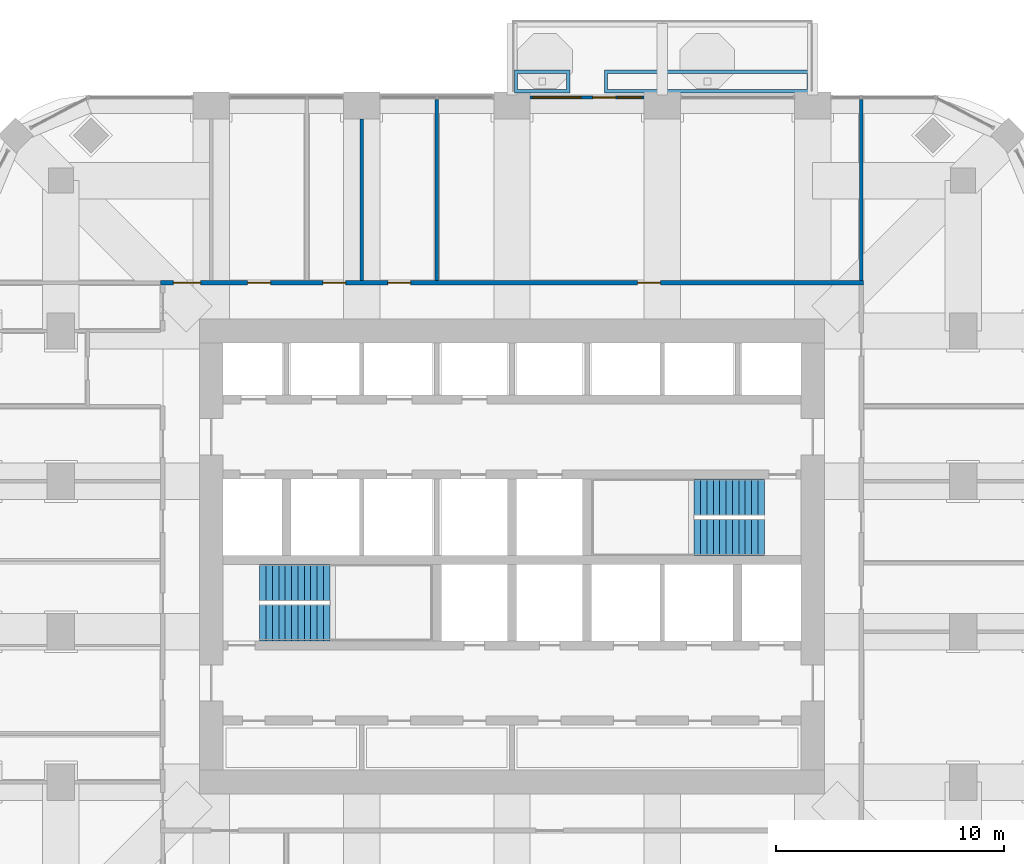
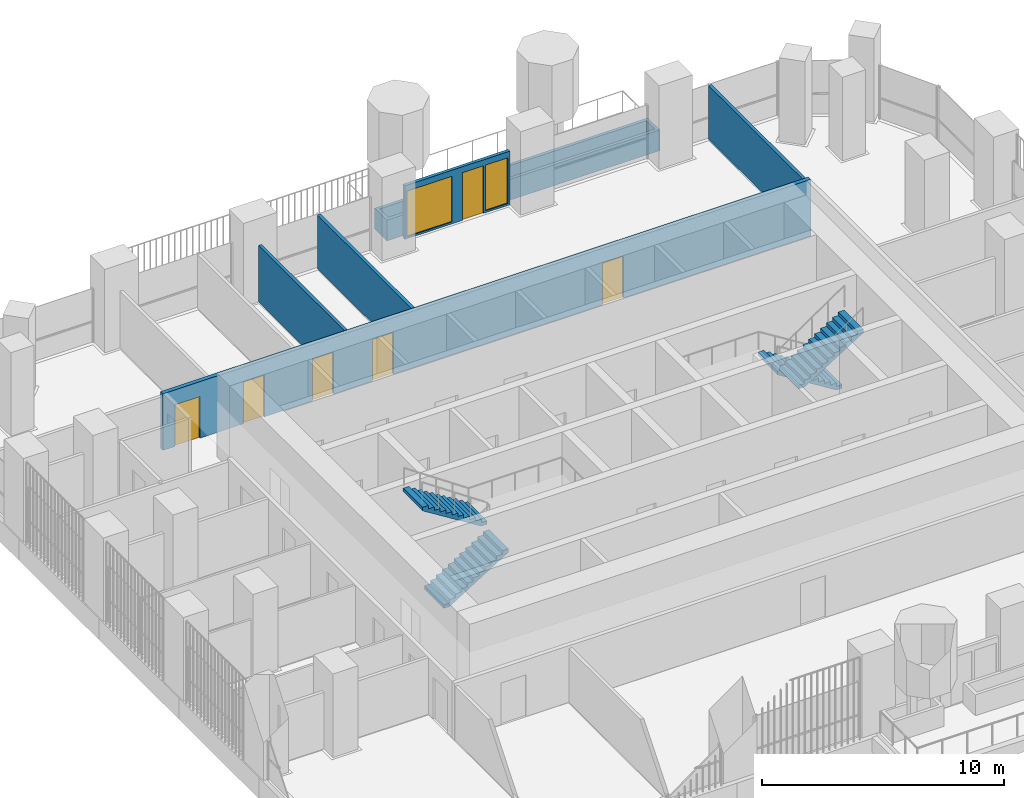
# One storey, part 15 of 19: 7 walls, 6 doors, 4 stair flights, 2 windows, 8 openings, 2 elements without a shape of their own.
"""IFC4 building model written with IfcOpenShell, lengths in metres."""

from ifc_helpers import new_model, si_unit, direction, frame, frame_2d, origin, place, context, subcontext, project, spatial, polyline, rectangle, outline, extrude, material, layer, layer_set, type_object, element, fill, aggregate, save


model = new_model("IFC4")

# Units and contexts
model_context = context("Model", 3, precision=1e-05, world=origin(), true_north=direction((0.0, 1.0)))
body_context = subcontext(model_context, "Body", "Model", "MODEL_VIEW")
ifc_project = project(units=[si_unit("LENGTHUNIT", "METRE"), si_unit("AREAUNIT", "SQUARE_METRE"), si_unit("VOLUMEUNIT", "CUBIC_METRE"), si_unit("PLANEANGLEUNIT", "RADIAN"), si_unit("MASSUNIT", "GRAM", prefix="KILO")], contexts=[model_context])

# Site, building, storey
site_placement = place(None, origin())
site = spatial("IfcSite", under=ifc_project, at=site_placement, CompositionType="ELEMENT")
building_placement = place(site_placement, origin())
building = spatial("IfcBuilding", under=site, at=building_placement, Name="Cobogo Forest Laboratory Tower", CompositionType="ELEMENT")
storey_placement = place(building_placement, frame((0.0, 0.0, 206.10009765625)))
storey = spatial("IfcBuildingStorey", under=building, at=storey_placement, Name="L47", CompositionType="ELEMENT", Elevation=206.10009765625)

# Wall, openings, door, windows
ifc_material_1 = material(Name="Aluminium framed glazed screen", Category="aluminium")
ifc_layer_1 = layer(ifc_material_1, 0.14990234375)
ifc_layer_set_1 = layer_set([ifc_layer_1], Name="GS1 glazed door screen 150")
wall_type_1 = type_object("IfcWallType", Name="GS1 glazed door screen 150", PredefinedType="SOLIDWALL", material=ifc_layer_set_1)
wall_1_placement = place(storey_placement, frame((32.199951171875, 43.25, 0.0), z_axis=(0.0, 0.0, 1.0), x_axis=(-1.0, 0.0, 0.0)))
wall_1 = element("IfcWall", 1, at=wall_1_placement, inside=storey, type_object=wall_type_1, Name="Door screen BAL-N1 L47", PredefinedType="SOLIDWALL", context=body_context, shape_type="SweptSolid", body=[
    extrude(rectangle(XDim=5.0, YDim=0.14990234375, at=frame_2d((2.5, 0.0))), origin(), (0.0, 0.0, 1.0), 2.699951171875),
])
opening_1_placement = place(wall_1_placement, frame((1.25, 0.0, 0.0)))
opening_1 = element("IfcOpeningElement", 2, at=opening_1_placement, cuts=wall_1, Name="Opening L47-D39", PredefinedType="OPENING", context=body_context, shape_type="SweptSolid", body=[
    extrude(rectangle(XDim=1.0, YDim=2.39990234375, at=frame_2d((0.5, 1.199951171875))), frame((0.0, 0.0849609375, 0.0), z_axis=(0.0, -1.0, 0.0), x_axis=(1.0, 0.0, 0.0)), (0.0, 0.0, 1.0), 0.169921875),
])
opening_2_placement = place(wall_1_placement, frame((0.10009765625, 0.0, 0.10009765625)))
opening_2 = element("IfcOpeningElement", 3, at=opening_2_placement, cuts=wall_1, Name="Opening L47-W04", PredefinedType="OPENING", context=body_context, shape_type="SweptSolid", body=[
    extrude(rectangle(XDim=1.050048828125, YDim=2.300048828125, at=frame_2d((0.52490234375, 1.14990234375))), frame((0.0, 0.0849609375, 0.0), z_axis=(0.0, -1.0, 0.0), x_axis=(1.0, 0.0, 0.0)), (0.0, 0.0, 1.0), 0.169921875),
])
opening_3_placement = place(wall_1_placement, frame((2.75, 0.0, 0.10009765625)))
opening_3 = element("IfcOpeningElement", 4, at=opening_3_placement, cuts=wall_1, Name="Opening L47-W03", PredefinedType="OPENING", context=body_context, shape_type="SweptSolid", body=[
    extrude(rectangle(XDim=2.14990234375, YDim=2.300048828125, at=frame_2d((1.074951171875, 1.14990234375))), frame((0.0, 0.0849609375, 0.0), z_axis=(0.0, -1.0, 0.0), x_axis=(1.0, 0.0, 0.0)), (0.0, 0.0, 1.0), 0.169921875),
])
ifc_material_2 = material(Name="Aluminium glazed door", Category="aluminium")
door_type_1 = type_object("IfcDoorType", Name="DB1 balcony door 1000 glazed", OperationType="SINGLE_SWING_LEFT", PredefinedType="DOOR", material=ifc_material_2)
door_1_placement = place(opening_1_placement, origin())
door_1 = element("IfcDoor", 5, at=door_1_placement, inside=storey, type_object=door_type_1, Name="Door L47-BAL-N1", OperationType="SINGLE_SWING_LEFT", OverallHeight=2.39990234375, OverallWidth=1.0, PredefinedType="DOOR", context=body_context, shape_type="SweptSolid", body=[
    extrude(rectangle(XDim=1.0, YDim=2.39990234375, at=frame_2d((0.5, 1.199951171875))), frame((0.0, 0.02490234375, 0.0), z_axis=(0.0, -1.0, 0.0), x_axis=(1.0, 0.0, 0.0)), (0.0, 0.0, 1.0), 0.050048828125),
])
fill(opening_1, door_1)
ifc_material_3 = material(Name="Aluminium framed glazing", Category="aluminium")
window_type_1 = type_object("IfcWindowType", Name="WG13 fixed glazed light 2150x2300", PartitioningType="SINGLE_PANEL", PredefinedType="WINDOW", material=ifc_material_3)
window_1_placement = place(opening_3_placement, origin())
window_1 = element("IfcWindow", 6, at=window_1_placement, inside=storey, type_object=window_type_1, Name="Window L47-BAL-N1-2", OverallHeight=2.300048828125, OverallWidth=2.14990234375, PartitioningType="SINGLE_PANEL", PredefinedType="WINDOW", context=body_context, shape_type="SweptSolid", body=[
    extrude(rectangle(XDim=2.14990234375, YDim=2.300048828125, at=frame_2d((1.074951171875, 1.14990234375))), frame((0.0, 0.030029296875, 0.0), z_axis=(0.0, -1.0, 0.0), x_axis=(1.0, 0.0, 0.0)), (0.0, 0.0, 1.0), 0.06005859375),
])
fill(opening_3, window_1)
window_type_2 = type_object("IfcWindowType", Name="WG14 fixed glazed light 1050x2300", PartitioningType="SINGLE_PANEL", PredefinedType="WINDOW", material=ifc_material_3)
window_2_placement = place(opening_2_placement, origin())
window_2 = element("IfcWindow", 7, at=window_2_placement, inside=storey, type_object=window_type_2, Name="Window L47-BAL-N1-1", OverallHeight=2.300048828125, OverallWidth=1.050048828125, PartitioningType="SINGLE_PANEL", PredefinedType="WINDOW", context=body_context, shape_type="SweptSolid", body=[
    extrude(rectangle(XDim=1.050048828125, YDim=2.300048828125, at=frame_2d((0.52490234375, 1.14990234375))), frame((0.0, 0.030029296875, 0.0), z_axis=(0.0, -1.0, 0.0), x_axis=(1.0, 0.0, 0.0)), (0.0, 0.0, 1.0), 0.06005859375),
])
fill(opening_2, window_2)

# Walls
ifc_material_4 = material(Name="Gypsum board on steel studs", Category="steel")
ifc_layer_2 = layer(ifc_material_4, 0.14990234375)
ifc_layer_set_2 = layer_set([ifc_layer_2], Name="PT1 laboratory partition 150")
wall_type_2 = type_object("IfcWallType", Name="PT1 laboratory partition 150", PredefinedType="PARTITIONING", material=ifc_layer_set_2)
wall_2_placement = place(storey_placement, frame((41.72509765625, 43.169921875, 0.0), z_axis=(0.0, 0.0, 1.0), x_axis=(0.0, -1.0, 0.0)))
element("IfcWall", 8, at=wall_2_placement, inside=storey, type_object=wall_type_2, Name="Partition PW-NE L47", PredefinedType="PARTITIONING", context=body_context, shape_type="SweptSolid", body=[
    extrude(rectangle(XDim=7.94482421875, YDim=0.14990234375, at=frame_2d((3.972412109375, 0.0))), origin(), (0.0, 0.0, 1.0), 2.699951171875),
])
wall_3_placement = place(storey_placement, frame((19.800048828125, 42.300048828125, 0.0), z_axis=(0.0, 0.0, 1.0), x_axis=(0.0, -1.0, 0.0)))
element("IfcWall", 9, at=wall_3_placement, inside=storey, type_object=wall_type_2, Name="Partition SVC-N2-1 L47", PredefinedType="PARTITIONING", context=body_context, shape_type="SweptSolid", body=[
    extrude(rectangle(XDim=7.074951171875, YDim=0.14990234375, at=frame_2d((3.53759765625, 0.0))), origin(), (0.0, 0.0, 1.0), 2.849853515625),
])
wall_4_placement = place(storey_placement, frame((23.10009765625, 43.169921875, 0.0), z_axis=(0.0, 0.0, 1.0), x_axis=(0.0, -1.0, 0.0)))
element("IfcWall", 10, at=wall_4_placement, inside=storey, type_object=wall_type_2, Name="Partition CUT-N23.1-1 L47", PredefinedType="PARTITIONING", context=body_context, shape_type="SweptSolid", body=[
    extrude(rectangle(XDim=7.94482421875, YDim=0.14990234375, at=frame_2d((3.972412109375, 0.0))), origin(), (0.0, 0.0, 1.0), 2.699951171875),
])

# Wall, openings, doors
ifc_layer_3 = layer(ifc_material_4, 0.199951171875)
ifc_layer_set_3 = layer_set([ifc_layer_3], Name="PT2 fire-rated corridor partition 200")
wall_type_3 = type_object("IfcWallType", Name="PT2 fire-rated corridor partition 200", PredefinedType="PARTITIONING", material=ifc_layer_set_3)
wall_5_placement = place(storey_placement, frame((10.97509765625, 35.125, 0.0), z_axis=(0.0, 0.0, 1.0), x_axis=(1.0, 0.0, 0.0)))
wall_5 = element("IfcWall", 11, at=wall_5_placement, inside=storey, type_object=wall_type_3, Name="Partition CORR-N L47", PredefinedType="PARTITIONING", context=body_context, shape_type="SweptSolid", body=[
    extrude(rectangle(XDim=30.849853515625, YDim=0.199951171875, at=frame_2d((15.4248046875, 0.0))), origin(), (0.0, 0.0, 1.0), 2.849853515625),
])
opening_4_placement = place(wall_5_placement, frame((0.5625, 0.0, 0.0)))
opening_4 = element("IfcOpeningElement", 12, at=opening_4_placement, cuts=wall_5, Name="Opening L47-D34", PredefinedType="OPENING", context=body_context, shape_type="SweptSolid", body=[
    extrude(rectangle(XDim=1.199951171875, YDim=2.10009765625, at=frame_2d((0.60009765625, 1.050048828125))), frame((0.0, 0.10986328125, 0.0), z_axis=(0.0, -1.0, 0.0), x_axis=(1.0, 0.0, 0.0)), (0.0, 0.0, 1.0), 0.219970703125),
])
opening_5_placement = place(wall_5_placement, frame((3.824951171875, 0.0, 0.0)))
opening_5 = element("IfcOpeningElement", 13, at=opening_5_placement, cuts=wall_5, Name="Opening L47-D35", PredefinedType="OPENING", context=body_context, shape_type="SweptSolid", body=[
    extrude(rectangle(XDim=1.0, YDim=2.10009765625, at=frame_2d((0.5, 1.050048828125))), frame((0.0, 0.10986328125, 0.0), z_axis=(0.0, -1.0, 0.0), x_axis=(1.0, 0.0, 0.0)), (0.0, 0.0, 1.0), 0.219970703125),
])
opening_6_placement = place(wall_5_placement, frame((7.125, 0.0, 0.0)))
opening_6 = element("IfcOpeningElement", 14, at=opening_6_placement, cuts=wall_5, Name="Opening L47-D36", PredefinedType="OPENING", context=body_context, shape_type="SweptSolid", body=[
    extrude(rectangle(XDim=1.0, YDim=2.10009765625, at=frame_2d((0.5, 1.050048828125))), frame((0.0, 0.10986328125, 0.0), z_axis=(0.0, -1.0, 0.0), x_axis=(1.0, 0.0, 0.0)), (0.0, 0.0, 1.0), 0.219970703125),
])
opening_7_placement = place(wall_5_placement, frame((9.97509765625, 0.0, 0.0)))
opening_7 = element("IfcOpeningElement", 15, at=opening_7_placement, cuts=wall_5, Name="Opening L47-D37", PredefinedType="OPENING", context=body_context, shape_type="SweptSolid", body=[
    extrude(rectangle(XDim=1.0, YDim=2.10009765625, at=frame_2d((0.5, 1.050048828125))), frame((0.0, 0.10986328125, 0.0), z_axis=(0.0, -1.0, 0.0), x_axis=(1.0, 0.0, 0.0)), (0.0, 0.0, 1.0), 0.219970703125),
])
opening_8_placement = place(wall_5_placement, frame((20.9375, 0.0, 0.0)))
opening_8 = element("IfcOpeningElement", 16, at=opening_8_placement, cuts=wall_5, Name="Opening L47-D38", PredefinedType="OPENING", context=body_context, shape_type="SweptSolid", body=[
    extrude(rectangle(XDim=1.0, YDim=2.10009765625, at=frame_2d((0.5, 1.050048828125))), frame((0.0, 0.10986328125, 0.0), z_axis=(0.0, -1.0, 0.0), x_axis=(1.0, 0.0, 0.0)), (0.0, 0.0, 1.0), 0.219970703125),
])
ifc_material_5 = material(Name="Timber door", Category="wood")
door_type_2 = type_object("IfcDoorType", Name="D2 laboratory door 1200 unequal pair", OperationType="DOUBLE_DOOR_SINGLE_SWING", PredefinedType="DOOR", material=ifc_material_5)
door_2_placement = place(opening_4_placement, origin())
door_2 = element("IfcDoor", 17, at=door_2_placement, inside=storey, type_object=door_type_2, Name="Door L47-N1", OperationType="DOUBLE_DOOR_SINGLE_SWING", OverallHeight=2.10009765625, OverallWidth=1.199951171875, PredefinedType="DOOR", context=body_context, shape_type="SweptSolid", body=[
    extrude(rectangle(XDim=1.199951171875, YDim=2.10009765625, at=frame_2d((0.60009765625, 1.050048828125))), frame((0.0, 0.02490234375, 0.0), z_axis=(0.0, -1.0, 0.0), x_axis=(1.0, 0.0, 0.0)), (0.0, 0.0, 1.0), 0.050048828125),
])
fill(opening_4, door_2)
ifc_material_6 = material(Name="Timber fire door", Category="wood")
door_type_3 = type_object("IfcDoorType", Name="FD2 fire door 1000 EI2 30", OperationType="SINGLE_SWING_LEFT", PredefinedType="DOOR", material=ifc_material_6)
door_3_placement = place(opening_5_placement, origin())
door_3 = element("IfcDoor", 18, at=door_3_placement, inside=storey, type_object=door_type_3, Name="Door L47-MTG", OperationType="SINGLE_SWING_LEFT", OverallHeight=2.10009765625, OverallWidth=1.0, PredefinedType="DOOR", context=body_context, shape_type="SweptSolid", body=[
    extrude(rectangle(XDim=1.0, YDim=2.10009765625, at=frame_2d((0.5, 1.050048828125))), frame((0.0, 0.02490234375, 0.0), z_axis=(0.0, -1.0, 0.0), x_axis=(1.0, 0.0, 0.0)), (0.0, 0.0, 1.0), 0.050048828125),
])
fill(opening_5, door_3)
door_4_placement = place(opening_6_placement, origin())
door_4 = element("IfcDoor", 19, at=door_4_placement, inside=storey, type_object=door_type_3, Name="Door L47-PAN", OperationType="SINGLE_SWING_LEFT", OverallHeight=2.10009765625, OverallWidth=1.0, PredefinedType="DOOR", context=body_context, shape_type="SweptSolid", body=[
    extrude(rectangle(XDim=1.0, YDim=2.10009765625, at=frame_2d((0.5, 1.050048828125))), frame((0.0, 0.02490234375, 0.0), z_axis=(0.0, -1.0, 0.0), x_axis=(1.0, 0.0, 0.0)), (0.0, 0.0, 1.0), 0.050048828125),
])
fill(opening_6, door_4)
door_5_placement = place(opening_7_placement, origin())
door_5 = element("IfcDoor", 20, at=door_5_placement, inside=storey, type_object=door_type_3, Name="Door L47-N2", OperationType="SINGLE_SWING_LEFT", OverallHeight=2.10009765625, OverallWidth=1.0, PredefinedType="DOOR", context=body_context, shape_type="SweptSolid", body=[
    extrude(rectangle(XDim=1.0, YDim=2.10009765625, at=frame_2d((0.5, 1.050048828125))), frame((0.0, 0.02490234375, 0.0), z_axis=(0.0, -1.0, 0.0), x_axis=(1.0, 0.0, 0.0)), (0.0, 0.0, 1.0), 0.050048828125),
])
fill(opening_7, door_5)
door_6_placement = place(opening_8_placement, origin())
door_6 = element("IfcDoor", 21, at=door_6_placement, inside=storey, type_object=door_type_3, Name="Door L47-N3", OperationType="SINGLE_SWING_RIGHT", OverallHeight=2.10009765625, OverallWidth=1.0, PredefinedType="DOOR", context=body_context, shape_type="SweptSolid", body=[
    extrude(rectangle(XDim=1.0, YDim=2.10009765625, at=frame_2d((0.5, 1.050048828125))), frame((0.0, 0.02490234375, 0.0), z_axis=(0.0, -1.0, 0.0), x_axis=(1.0, 0.0, 0.0)), (0.0, 0.0, 1.0), 0.050048828125),
])
fill(opening_8, door_6)

# Walls
ifc_material_7 = material(Name="Concrete HA-40 (C40/50)", Category="concrete")
ifc_layer_4 = layer(ifc_material_7, 0.14990234375)
ifc_layer_set_4 = layer_set([ifc_layer_4], Name="Planter box 1000x1050")
wall_type_4 = type_object("IfcWallType", Name="Planter box 1000x1050", PredefinedType="USERDEFINED", material=ifc_layer_set_4)
wall_6_placement = place(storey_placement, origin())
element("IfcWall", 22, at=wall_6_placement, inside=storey, type_object=wall_type_4, Name="Planter BAL-N1-1 L47", ObjectType="PLANTER", PredefinedType="USERDEFINED", context=body_context, shape_type="SweptSolid", body=[
    extrude(outline(polyline([(26.5, 43.449951171875), (28.949951171875, 43.449951171875), (28.949951171875, 44.449951171875), (26.5, 44.449951171875), (26.5, 43.449951171875)]), holes=[polyline([(26.64990234375, 43.60009765625), (28.800048828125, 43.60009765625), (28.800048828125, 44.300048828125), (26.64990234375, 44.300048828125), (26.64990234375, 43.60009765625)])]), origin(), (0.0, 0.0, 1.0), 1.0498046875),
])
wall_7_placement = place(storey_placement, origin())
element("IfcWall", 23, at=wall_7_placement, inside=storey, type_object=wall_type_4, Name="Planter BAL-N1-2 L47", ObjectType="PLANTER", PredefinedType="USERDEFINED", context=body_context, shape_type="SweptSolid", body=[
    extrude(outline(polyline([(30.449951171875, 43.449951171875), (39.5, 43.449951171875), (39.5, 44.449951171875), (30.449951171875, 44.449951171875), (30.449951171875, 43.449951171875)]), holes=[polyline([(30.60009765625, 43.60009765625), (39.35009765625, 43.60009765625), (39.35009765625, 44.300048828125), (30.60009765625, 44.300048828125), (30.60009765625, 43.60009765625)])]), origin(), (0.0, 0.0, 1.0), 1.0498046875),
])

# Stair, stair flights
ifc_material_8 = material(Name="Precast concrete HA-40 (C40/50)", Category="concrete")
stair_type = type_object("IfcStairType", Name="ST24 exit stair 24 risers", PredefinedType="HALF_TURN_STAIR", material=ifc_material_8)
stair_1_placement = place(storey_placement, origin())
stair_1 = element("IfcStair", 24, at=stair_1_placement, inside=storey, type_object=stair_type, Name="Stair 1 L47 to L48", PredefinedType="HALF_TURN_STAIR")
stair_flight_type = type_object("IfcStairFlightType", Name="ST stair flight 280 going", PredefinedType="STRAIGHT", material=ifc_material_8)
stair_flight_1_placement = place(storey_placement, frame((15.324951171875, 20.199951171875, 0.0), z_axis=(0.0, 0.0, 1.0), x_axis=(1.0, 0.0, 0.0)))
stair_flight_1 = element("IfcStairFlight", 25, at=stair_flight_1_placement, type_object=stair_flight_type, Name="ST1 flight 1", NumberOfRisers=12, NumberOfTreads=11, PredefinedType="STRAIGHT", RiserHeight=0.175, TreadLength=0.28, context=body_context, shape_type="SweptSolid", body=[
    extrude(outline(polyline([(0.0, 0.0), (0.0, 0.175048828125), (0.280029296875, 0.175048828125), (0.280029296875, 0.35009765625), (0.56005859375, 0.35009765625), (0.56005859375, 0.52490234375), (0.840087890625, 0.52490234375), (0.840087890625, 0.699951171875), (1.1201171875, 0.699951171875), (1.1201171875, 0.875), (1.39990234375, 0.875), (1.39990234375, 1.050048828125), (1.679931640625, 1.050048828125), (1.679931640625, 1.22509765625), (1.9599609375, 1.22509765625), (1.9599609375, 1.39990234375), (2.239990234375, 1.39990234375), (2.239990234375, 1.574951171875), (2.52001953125, 1.574951171875), (2.52001953125, 1.75), (2.800048828125, 1.75), (2.800048828125, 1.925048828125), (3.080078125, 1.925048828125), (3.080078125, 2.10009765625), (3.080078125, 1.748291015625), (0.28271484375, 0.0), (0.0, 0.0)])), frame((0.0, 0.800048828125, 0.0), z_axis=(0.0, -1.0, 0.0), x_axis=(1.0, 0.0, 0.0)), (0.0, 0.0, 1.0), 1.60009765625),
])
stair_flight_2_placement = place(storey_placement, frame((18.405029296875, 21.949951171875, 2.099853515625), z_axis=(0.0, 0.0, 1.0), x_axis=(-1.0, 0.0, 0.0)))
stair_flight_2 = element("IfcStairFlight", 26, at=stair_flight_2_placement, type_object=stair_flight_type, Name="ST1 flight 2", NumberOfRisers=12, NumberOfTreads=11, PredefinedType="STRAIGHT", RiserHeight=0.175, TreadLength=0.28, context=body_context, shape_type="SweptSolid", body=[
    extrude(outline(polyline([(0.0, 0.0), (0.0, 0.175048828125), (0.280029296875, 0.175048828125), (0.280029296875, 0.35009765625), (0.56005859375, 0.35009765625), (0.56005859375, 0.52490234375), (0.840087890625, 0.52490234375), (0.840087890625, 0.699951171875), (1.1201171875, 0.699951171875), (1.1201171875, 0.875), (1.39990234375, 0.875), (1.39990234375, 1.050048828125), (1.679931640625, 1.050048828125), (1.679931640625, 1.22509765625), (1.9599609375, 1.22509765625), (1.9599609375, 1.39990234375), (2.239990234375, 1.39990234375), (2.239990234375, 1.574951171875), (2.52001953125, 1.574951171875), (2.52001953125, 1.75), (2.800048828125, 1.75), (2.800048828125, 1.925048828125), (3.080078125, 1.925048828125), (3.080078125, 2.10009765625), (3.080078125, 1.748291015625), (0.28271484375, 0.0), (0.0, 0.0)])), frame((0.0, 0.800048828125, 0.0), z_axis=(0.0, -1.0, 0.0), x_axis=(1.0, 0.0, 0.0)), (0.0, 0.0, 1.0), 1.60009765625),
])
aggregate(stair_1, [stair_flight_1, stair_flight_2])

stair_2_placement = place(storey_placement, origin())
stair_2 = element("IfcStair", 27, at=stair_2_placement, inside=storey, type_object=stair_type, Name="Stair 2 L47 to L48", PredefinedType="HALF_TURN_STAIR")
stair_flight_3_placement = place(storey_placement, frame((37.47509765625, 25.699951171875, 0.0), z_axis=(0.0, 0.0, 1.0), x_axis=(-1.0, 0.0, 0.0)))
stair_flight_3 = element("IfcStairFlight", 28, at=stair_flight_3_placement, type_object=stair_flight_type, Name="ST2 flight 1", NumberOfRisers=12, NumberOfTreads=11, PredefinedType="STRAIGHT", RiserHeight=0.175, TreadLength=0.28, context=body_context, shape_type="SweptSolid", body=[
    extrude(outline(polyline([(0.0, 0.0), (0.0, 0.175048828125), (0.280029296875, 0.175048828125), (0.280029296875, 0.35009765625), (0.56005859375, 0.35009765625), (0.56005859375, 0.52490234375), (0.840087890625, 0.52490234375), (0.840087890625, 0.699951171875), (1.1201171875, 0.699951171875), (1.1201171875, 0.875), (1.39990234375, 0.875), (1.39990234375, 1.050048828125), (1.679931640625, 1.050048828125), (1.679931640625, 1.22509765625), (1.9599609375, 1.22509765625), (1.9599609375, 1.39990234375), (2.239990234375, 1.39990234375), (2.239990234375, 1.574951171875), (2.52001953125, 1.574951171875), (2.52001953125, 1.75), (2.800048828125, 1.75), (2.800048828125, 1.925048828125), (3.080078125, 1.925048828125), (3.080078125, 2.10009765625), (3.080078125, 1.748291015625), (0.28271484375, 0.0), (0.0, 0.0)])), frame((0.0, 0.800048828125, 0.0), z_axis=(0.0, -1.0, 0.0), x_axis=(1.0, 0.0, 0.0)), (0.0, 0.0, 1.0), 1.60009765625),
])
stair_flight_4_placement = place(storey_placement, frame((34.39501953125, 23.949951171875, 2.099853515625), z_axis=(0.0, 0.0, 1.0), x_axis=(1.0, 0.0, 0.0)))
stair_flight_4 = element("IfcStairFlight", 29, at=stair_flight_4_placement, type_object=stair_flight_type, Name="ST2 flight 2", NumberOfRisers=12, NumberOfTreads=11, PredefinedType="STRAIGHT", RiserHeight=0.175, TreadLength=0.28, context=body_context, shape_type="SweptSolid", body=[
    extrude(outline(polyline([(0.0, 0.0), (0.0, 0.175048828125), (0.280029296875, 0.175048828125), (0.280029296875, 0.35009765625), (0.56005859375, 0.35009765625), (0.56005859375, 0.52490234375), (0.840087890625, 0.52490234375), (0.840087890625, 0.699951171875), (1.1201171875, 0.699951171875), (1.1201171875, 0.875), (1.39990234375, 0.875), (1.39990234375, 1.050048828125), (1.679931640625, 1.050048828125), (1.679931640625, 1.22509765625), (1.9599609375, 1.22509765625), (1.9599609375, 1.39990234375), (2.239990234375, 1.39990234375), (2.239990234375, 1.574951171875), (2.52001953125, 1.574951171875), (2.52001953125, 1.75), (2.800048828125, 1.75), (2.800048828125, 1.925048828125), (3.080078125, 1.925048828125), (3.080078125, 2.10009765625), (3.080078125, 1.748291015625), (0.28271484375, 0.0), (0.0, 0.0)])), frame((0.0, 0.800048828125, 0.0), z_axis=(0.0, -1.0, 0.0), x_axis=(1.0, 0.0, 0.0)), (0.0, 0.0, 1.0), 1.60009765625),
])
aggregate(stair_2, [stair_flight_3, stair_flight_4])

save(model, "model.ifc")
